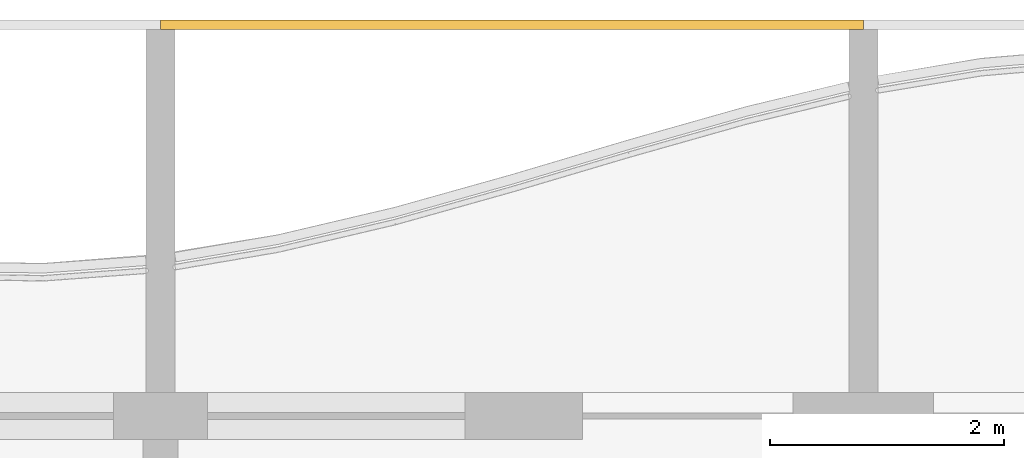
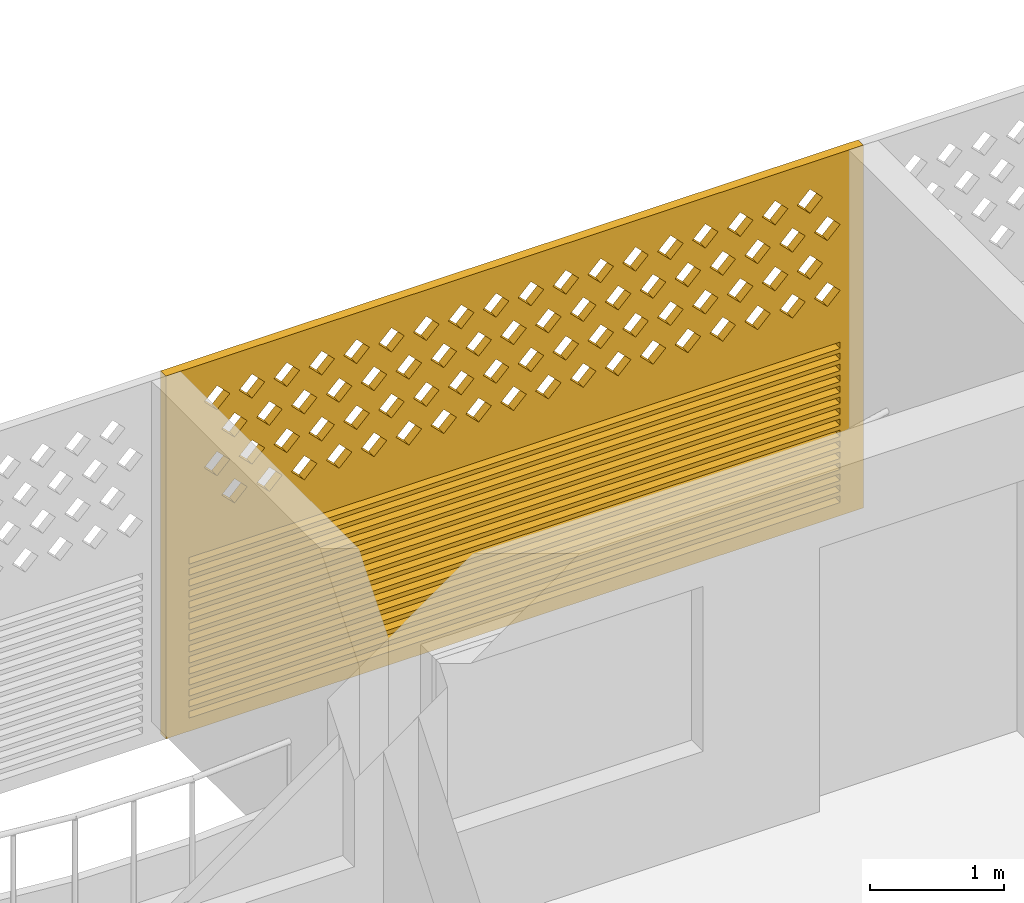
# One storey, part 23 of 33: 1 covering.
"""IFC4 building model written with IfcOpenShell, lengths in metres."""

import ifcopenshell
import ifcopenshell.guid

model = None  # the IFC model being written
_history = None  # IfcOwnerHistory: only IFC2X3 demands one
_inside = {}  # id of a spatial element -> (the spatial element, [elements in it])
_under = {}  # id of a project, library or spatial element -> (it, [spatial elements below it])
_declared = {}  # id of a project -> (the project, [libraries it declares])
_typed = {}  # id of a type object -> (the type object, [elements of that type])
_made_of = {}  # id of a material, layer set ... -> (it, [elements and type objects made of it])


def new_model(schema):
    """Start an empty IFC model of exactly this schema.

    Asked for "IFC4X3", IfcOpenShell would pick the latest addendum, in which some entities
    have other attributes; the version numbers below select the first issue.
    IFC2X3 requires an IfcOwnerHistory on every rooted entity: one is made here for all.
    """
    global model, _history
    if schema == "IFC4X3":
        model = ifcopenshell.file(schema_version=(4, 3, 0, 0))
    else:
        model = ifcopenshell.file(schema=schema)
    _inside.clear()
    _under.clear()
    _declared.clear()
    _typed.clear()
    _made_of.clear()
    _history = None
    if model.schema == "IFC2X3":
        org = make("IfcOrganization", Name="unknown")
        user = make(
            "IfcPersonAndOrganization",
            ThePerson=make("IfcPerson", FamilyName="unknown"),
            TheOrganization=org,
        )
        app = make(
            "IfcApplication",
            ApplicationDeveloper=org,
            Version="unknown",
            ApplicationFullName="unknown",
            ApplicationIdentifier="unknown",
        )
        _history = make(
            "IfcOwnerHistory",
            OwningUser=user,
            OwningApplication=app,
            ChangeAction="ADDED",
            CreationDate=0,
        )
    return model


def make(cls, **values):
    """One entity of the class cls with the attributes given. An attribute that is None is left unset."""
    return model.create_entity(
        cls, **{name: value for name, value in values.items() if value is not None}
    )


def rooted(cls, **values):
    """An entity with a GlobalId (a new one), such as an element, a storey or a relation."""
    return make(cls, GlobalId=ifcopenshell.guid.new(), OwnerHistory=_history, **values)


def si_unit(unit_type, name, prefix=None):
    """IfcSIUnit, for example si_unit("LENGTHUNIT", "METRE", prefix="MILLI")."""
    return make("IfcSIUnit", UnitType=unit_type, Prefix=prefix, Name=name)


def assignment(units):
    """IfcUnitAssignment: the units of a project."""
    return None if units is None else make("IfcUnitAssignment", Units=units)


def point(xyz):
    """IfcCartesianPoint."""
    return None if xyz is None else make("IfcCartesianPoint", Coordinates=xyz)


def direction(xyz):
    """IfcDirection."""
    return None if xyz is None else make("IfcDirection", DirectionRatios=xyz)


def frame(location, z_axis=None, x_axis=None):
    """IfcAxis2Placement3D, a coordinate frame: its origin and axes. An axis left out is left unset."""
    return make(
        "IfcAxis2Placement3D",
        Location=point(location),
        Axis=direction(z_axis),
        RefDirection=direction(x_axis),
    )


def origin():
    """The frame at (0, 0, 0) with its axes left unset."""
    return frame((0.0, 0.0, 0.0))


def place(relative_to, where):
    """IfcLocalPlacement: puts the frame where relative to a parent placement (None: the world)."""
    return make(
        "IfcLocalPlacement", PlacementRelTo=relative_to, RelativePlacement=where
    )


def context(
    kind, dimensions, precision=None, world=None, true_north=None, identifier=None
):
    """IfcGeometricRepresentationContext, for example the 3D "Model" context."""
    return make(
        "IfcGeometricRepresentationContext",
        ContextIdentifier=identifier,
        ContextType=kind,
        CoordinateSpaceDimension=dimensions,
        Precision=precision,
        WorldCoordinateSystem=world,
        TrueNorth=true_north,
    )


def subcontext(parent, identifier, kind, view, scale=None):
    """IfcGeometricRepresentationSubContext, for example "Body" below "Model"."""
    return make(
        "IfcGeometricRepresentationSubContext",
        ContextIdentifier=identifier,
        ContextType=kind,
        ParentContext=parent,
        TargetScale=scale,
        TargetView=view,
    )


def project(units=None, contexts=None):
    """IfcProject with its units and contexts."""
    return rooted(
        "IfcProject",
        Name="project",
        RepresentationContexts=contexts,
        UnitsInContext=assignment(units),
    )


def spatial(cls, under=None, at=None, **own):
    """A site, building, storey or space (cls), placed at a placement, below another one or the project."""
    s = rooted(cls, ObjectPlacement=at, **own)
    if under is not None:
        _under.setdefault(under.id(), (under, []))[1].append(s)
    return s


def polyline(points):
    """IfcPolyline through the points."""
    return make("IfcPolyline", Points=[point(p) for p in points])


def outline(outer, holes=None, kind="AREA"):
    """IfcArbitraryClosedProfileDef: a profile drawn as a closed curve; with holes, ...WithVoids."""
    if holes is None:
        return make("IfcArbitraryClosedProfileDef", ProfileType=kind, OuterCurve=outer)
    return make(
        "IfcArbitraryProfileDefWithVoids",
        ProfileType=kind,
        OuterCurve=outer,
        InnerCurves=holes,
    )


def extrude(swept, where, along, depth):
    """IfcExtrudedAreaSolid: the profile swept, set in the frame where, extruded along a direction by depth."""
    return make(
        "IfcExtrudedAreaSolid",
        SweptArea=swept,
        Position=where,
        ExtrudedDirection=direction(along),
        Depth=depth,
    )


def shape(context_of_items, identifier, shape_type, items):
    """IfcShapeRepresentation: the items that make up one representation, for example the "Body"."""
    return make(
        "IfcShapeRepresentation",
        ContextOfItems=context_of_items,
        RepresentationIdentifier=identifier,
        RepresentationType=shape_type,
        Items=items,
    )


def source(mapping_origin, context_of_items, identifier, shape_type, items):
    """IfcRepresentationMap: a shape defined once, which mapped items show again and again."""
    return make(
        "IfcRepresentationMap",
        MappingOrigin=mapping_origin,
        MappedRepresentation=shape(context_of_items, identifier, shape_type, items),
    )


def transform(
    local_origin,
    x_axis=None,
    y_axis=None,
    z_axis=None,
    scale=None,
    scale2=None,
    scale3=None,
    uniform=True,
):
    """IfcCartesianTransformationOperator3D, or its non-uniform kind. x_axis, y_axis, z_axis: its Axis1, 2, 3."""
    if uniform:
        return make(
            "IfcCartesianTransformationOperator3D",
            Axis1=direction(x_axis),
            Axis2=direction(y_axis),
            LocalOrigin=point(local_origin),
            Scale=scale,
            Axis3=direction(z_axis),
        )
    return make(
        "IfcCartesianTransformationOperator3DnonUniform",
        Axis1=direction(x_axis),
        Axis2=direction(y_axis),
        LocalOrigin=point(local_origin),
        Scale=scale,
        Axis3=direction(z_axis),
        Scale2=scale2,
        Scale3=scale3,
    )


def mapped(mapping_source, mapping_target):
    """IfcMappedItem: shows the shape of a source again, moved by a transform."""
    return make(
        "IfcMappedItem", MappingSource=mapping_source, MappingTarget=mapping_target
    )


def material(Name=None, Category=None):
    """IfcMaterial."""
    return make("IfcMaterial", Name=Name, Category=Category)


def material_profile(
    of_material, cross_section, Name=None, Category=None, Priority=None
):
    """IfcMaterialProfile: a cross section and its material."""
    return make(
        "IfcMaterialProfile",
        Name=Name,
        Material=of_material,
        Profile=cross_section,
        Priority=Priority,
        Category=Category,
    )


def profile_set(profiles, Name=None, composite=None):
    """IfcMaterialProfileSet."""
    return make(
        "IfcMaterialProfileSet",
        Name=Name,
        MaterialProfiles=profiles,
        CompositeProfile=composite,
    )


def made_of(thing, what):
    """Note that an element or type object is made of a material, layer set ...; save() writes the relation."""
    if what is not None:
        _made_of.setdefault(what.id(), (what, []))[1].append(thing)
    return thing


def type_object(cls, material=None, **own):
    """A type object (cls), such as IfcWallType, which elements share."""
    return made_of(rooted(cls, **own), material)


def element(
    cls,
    number,
    at=None,
    inside=None,
    cuts=None,
    type_object=None,
    material=None,
    context=None,
    identifier="Body",
    shape_type=None,
    held_by="IfcProductDefinitionShape",
    body=None,
    shapes=None,
    **own,
):
    """One element of the class cls, such as IfcWall. Its Tag is "e" and its number.

    at: its placement. inside: the storey or other place that contains it. cuts: it is an
    opening in that element (IfcRelVoidsElement). A single representation is given by context,
    identifier, shape_type and body (its items); several are given by shapes. held_by: the class
    of the entity that holds the representations. save() writes the other relations.
    """
    e = rooted(cls, Tag="e%d" % number, ObjectPlacement=at, **own)
    if body is not None:
        shapes = [shape(context, identifier, shape_type, body)]
    if shapes is not None:
        e.Representation = make(held_by, Representations=shapes)
    if inside is not None:
        _inside.setdefault(inside.id(), (inside, []))[1].append(e)
    if cuts is not None:
        rooted(
            "IfcRelVoidsElement", RelatingBuildingElement=cuts, RelatedOpeningElement=e
        )
    if type_object is not None:
        _typed.setdefault(type_object.id(), (type_object, []))[1].append(e)
    return made_of(e, material)


def aggregate(whole, parts):
    """IfcRelAggregates: a whole, such as a stair, and the parts it consists of."""
    return rooted("IfcRelAggregates", RelatingObject=whole, RelatedObjects=parts)


def save(model, path):
    """Write the relations noted so far, then the file.

    IfcRelAggregates (storeys below a building ...), IfcRelContainedInSpatialStructure (elements
    in a storey), IfcRelDefinesByType, IfcRelAssociatesMaterial and IfcRelDeclares: one each for
    every whole, place, type object, material and project.
    """
    for whole, parts in _under.values():
        aggregate(whole, parts)
    for where, things in _inside.values():
        rooted(
            "IfcRelContainedInSpatialStructure",
            RelatedElements=things,
            RelatingStructure=where,
        )
    for kind, things in _typed.values():
        rooted("IfcRelDefinesByType", RelatedObjects=things, RelatingType=kind)
    for what, things in _made_of.values():
        rooted("IfcRelAssociatesMaterial", RelatedObjects=things, RelatingMaterial=what)
    for by, libraries in _declared.values():
        rooted("IfcRelDeclares", RelatingContext=by, RelatedDefinitions=libraries)
    model.write(path)


model = new_model("IFC4")

# Units and contexts
model_context = context("Model", 3, precision=1e-05, world=origin(), true_north=direction((0.0, 1.0)))
body_context = subcontext(model_context, "Body", "Model", "MODEL_VIEW")
ifc_project = project(units=[si_unit("LENGTHUNIT", "METRE"), si_unit("AREAUNIT", "SQUARE_METRE"), si_unit("VOLUMEUNIT", "CUBIC_METRE"), si_unit("PLANEANGLEUNIT", "RADIAN"), si_unit("MASSUNIT", "GRAM", prefix="KILO")], contexts=[model_context])

# Site, building, storey
site_placement = place(None, origin())
site = spatial("IfcSite", under=ifc_project, at=site_placement, CompositionType="ELEMENT")
building_placement = place(site_placement, origin())
building = spatial("IfcBuilding", under=site, at=building_placement, Name="Poui Terraces", CompositionType="ELEMENT")
storey_placement = place(building_placement, frame((0.0, 0.0, 138.89990234375)))
storey = spatial("IfcBuildingStorey", under=building, at=storey_placement, Name="L38", CompositionType="ELEMENT", Elevation=138.89990234375)

# Covering
ifc_material = material(Name="Terracotta screen", Category="masonry")
ifc_material_profile = material_profile(ifc_material, outline(polyline([(-3.0, -1.64990234375), (3.0, -1.64990234375), (3.0, 1.64990234375), (-3.0, 1.64990234375), (-3.0, -1.64990234375)]), holes=[polyline([(-2.800048828125, 0.39990234375), (-2.68994140625, 0.2900390625), (-2.580078125, 0.39990234375), (-2.68994140625, 0.510009765625), (-2.800048828125, 0.39990234375)]), polyline([(-2.5, 0.39990234375), (-2.389892578125, 0.2900390625), (-2.280029296875, 0.39990234375), (-2.389892578125, 0.510009765625), (-2.5, 0.39990234375)]), polyline([(-2.199951171875, 0.39990234375), (-2.090087890625, 0.2900390625), (-1.97998046875, 0.39990234375), (-2.090087890625, 0.510009765625), (-2.199951171875, 0.39990234375)]), polyline([(-1.89990234375, 0.39990234375), (-1.7900390625, 0.2900390625), (-1.679931640625, 0.39990234375), (-1.7900390625, 0.510009765625), (-1.89990234375, 0.39990234375)]), polyline([(-1.60009765625, 0.39990234375), (-1.489990234375, 0.2900390625), (-1.3798828125, 0.39990234375), (-1.489990234375, 0.510009765625), (-1.60009765625, 0.39990234375)]), polyline([(-1.300048828125, 0.39990234375), (-1.18994140625, 0.2900390625), (-1.080078125, 0.39990234375), (-1.18994140625, 0.510009765625), (-1.300048828125, 0.39990234375)]), polyline([(-1.0, 0.39990234375), (-0.889892578125, 0.2900390625), (-0.780029296875, 0.39990234375), (-0.889892578125, 0.510009765625), (-1.0, 0.39990234375)]), polyline([(-0.699951171875, 0.39990234375), (-0.590087890625, 0.2900390625), (-0.47998046875, 0.39990234375), (-0.590087890625, 0.510009765625), (-0.699951171875, 0.39990234375)]), polyline([(-0.39990234375, 0.39990234375), (-0.2900390625, 0.2900390625), (-0.179931640625, 0.39990234375), (-0.2900390625, 0.510009765625), (-0.39990234375, 0.39990234375)]), polyline([(-0.10009765625, 0.39990234375), (0.010009765625, 0.2900390625), (0.1201171875, 0.39990234375), (0.010009765625, 0.510009765625), (-0.10009765625, 0.39990234375)]), polyline([(0.199951171875, 0.39990234375), (0.31005859375, 0.2900390625), (0.419921875, 0.39990234375), (0.31005859375, 0.510009765625), (0.199951171875, 0.39990234375)]), polyline([(0.5, 0.39990234375), (0.610107421875, 0.2900390625), (0.719970703125, 0.39990234375), (0.610107421875, 0.510009765625), (0.5, 0.39990234375)]), polyline([(0.800048828125, 0.39990234375), (0.909912109375, 0.2900390625), (1.02001953125, 0.39990234375), (0.909912109375, 0.510009765625), (0.800048828125, 0.39990234375)]), polyline([(1.10009765625, 0.39990234375), (1.2099609375, 0.2900390625), (1.320068359375, 0.39990234375), (1.2099609375, 0.510009765625), (1.10009765625, 0.39990234375)]), polyline([(1.39990234375, 0.39990234375), (1.510009765625, 0.2900390625), (1.6201171875, 0.39990234375), (1.510009765625, 0.510009765625), (1.39990234375, 0.39990234375)]), polyline([(1.699951171875, 0.39990234375), (1.81005859375, 0.2900390625), (1.919921875, 0.39990234375), (1.81005859375, 0.510009765625), (1.699951171875, 0.39990234375)]), polyline([(2.0, 0.39990234375), (2.110107421875, 0.2900390625), (2.219970703125, 0.39990234375), (2.110107421875, 0.510009765625), (2.0, 0.39990234375)]), polyline([(2.300048828125, 0.39990234375), (2.409912109375, 0.2900390625), (2.52001953125, 0.39990234375), (2.409912109375, 0.510009765625), (2.300048828125, 0.39990234375)]), polyline([(-2.64990234375, 0.699951171875), (-2.5400390625, 0.590087890625), (-2.429931640625, 0.699951171875), (-2.5400390625, 0.81005859375), (-2.64990234375, 0.699951171875)]), polyline([(-2.35009765625, 0.699951171875), (-2.239990234375, 0.590087890625), (-2.1298828125, 0.699951171875), (-2.239990234375, 0.81005859375), (-2.35009765625, 0.699951171875)]), polyline([(-2.050048828125, 0.699951171875), (-1.93994140625, 0.590087890625), (-1.830078125, 0.699951171875), (-1.93994140625, 0.81005859375), (-2.050048828125, 0.699951171875)]), polyline([(-1.75, 0.699951171875), (-1.639892578125, 0.590087890625), (-1.530029296875, 0.699951171875), (-1.639892578125, 0.81005859375), (-1.75, 0.699951171875)]), polyline([(-1.449951171875, 0.699951171875), (-1.340087890625, 0.590087890625), (-1.22998046875, 0.699951171875), (-1.340087890625, 0.81005859375), (-1.449951171875, 0.699951171875)]), polyline([(-1.14990234375, 0.699951171875), (-1.0400390625, 0.590087890625), (-0.929931640625, 0.699951171875), (-1.0400390625, 0.81005859375), (-1.14990234375, 0.699951171875)]), polyline([(-0.85009765625, 0.699951171875), (-0.739990234375, 0.590087890625), (-0.6298828125, 0.699951171875), (-0.739990234375, 0.81005859375), (-0.85009765625, 0.699951171875)]), polyline([(-0.550048828125, 0.699951171875), (-0.43994140625, 0.590087890625), (-0.330078125, 0.699951171875), (-0.43994140625, 0.81005859375), (-0.550048828125, 0.699951171875)]), polyline([(-0.25, 0.699951171875), (-0.139892578125, 0.590087890625), (-0.030029296875, 0.699951171875), (-0.139892578125, 0.81005859375), (-0.25, 0.699951171875)]), polyline([(0.050048828125, 0.699951171875), (0.159912109375, 0.590087890625), (0.27001953125, 0.699951171875), (0.159912109375, 0.81005859375), (0.050048828125, 0.699951171875)]), polyline([(0.35009765625, 0.699951171875), (0.4599609375, 0.590087890625), (0.570068359375, 0.699951171875), (0.4599609375, 0.81005859375), (0.35009765625, 0.699951171875)]), polyline([(0.64990234375, 0.699951171875), (0.760009765625, 0.590087890625), (0.8701171875, 0.699951171875), (0.760009765625, 0.81005859375), (0.64990234375, 0.699951171875)]), polyline([(0.949951171875, 0.699951171875), (1.06005859375, 0.590087890625), (1.169921875, 0.699951171875), (1.06005859375, 0.81005859375), (0.949951171875, 0.699951171875)]), polyline([(1.25, 0.699951171875), (1.360107421875, 0.590087890625), (1.469970703125, 0.699951171875), (1.360107421875, 0.81005859375), (1.25, 0.699951171875)]), polyline([(1.550048828125, 0.699951171875), (1.659912109375, 0.590087890625), (1.77001953125, 0.699951171875), (1.659912109375, 0.81005859375), (1.550048828125, 0.699951171875)]), polyline([(1.85009765625, 0.699951171875), (1.9599609375, 0.590087890625), (2.070068359375, 0.699951171875), (1.9599609375, 0.81005859375), (1.85009765625, 0.699951171875)]), polyline([(2.14990234375, 0.699951171875), (2.260009765625, 0.590087890625), (2.3701171875, 0.699951171875), (2.260009765625, 0.81005859375), (2.14990234375, 0.699951171875)]), polyline([(2.449951171875, 0.699951171875), (2.56005859375, 0.590087890625), (2.669921875, 0.699951171875), (2.56005859375, 0.81005859375), (2.449951171875, 0.699951171875)]), polyline([(-2.800048828125, 1.0), (-2.68994140625, 0.889892578125), (-2.580078125, 1.0), (-2.68994140625, 1.110107421875), (-2.800048828125, 1.0)]), polyline([(-2.5, 1.0), (-2.389892578125, 0.889892578125), (-2.280029296875, 1.0), (-2.389892578125, 1.110107421875), (-2.5, 1.0)]), polyline([(-2.199951171875, 1.0), (-2.090087890625, 0.889892578125), (-1.97998046875, 1.0), (-2.090087890625, 1.110107421875), (-2.199951171875, 1.0)]), polyline([(-1.89990234375, 1.0), (-1.7900390625, 0.889892578125), (-1.679931640625, 1.0), (-1.7900390625, 1.110107421875), (-1.89990234375, 1.0)]), polyline([(-1.60009765625, 1.0), (-1.489990234375, 0.889892578125), (-1.3798828125, 1.0), (-1.489990234375, 1.110107421875), (-1.60009765625, 1.0)]), polyline([(-1.300048828125, 1.0), (-1.18994140625, 0.889892578125), (-1.080078125, 1.0), (-1.18994140625, 1.110107421875), (-1.300048828125, 1.0)]), polyline([(-1.0, 1.0), (-0.889892578125, 0.889892578125), (-0.780029296875, 1.0), (-0.889892578125, 1.110107421875), (-1.0, 1.0)]), polyline([(-0.699951171875, 1.0), (-0.590087890625, 0.889892578125), (-0.47998046875, 1.0), (-0.590087890625, 1.110107421875), (-0.699951171875, 1.0)]), polyline([(-0.39990234375, 1.0), (-0.2900390625, 0.889892578125), (-0.179931640625, 1.0), (-0.2900390625, 1.110107421875), (-0.39990234375, 1.0)]), polyline([(-0.10009765625, 1.0), (0.010009765625, 0.889892578125), (0.1201171875, 1.0), (0.010009765625, 1.110107421875), (-0.10009765625, 1.0)]), polyline([(0.199951171875, 1.0), (0.31005859375, 0.889892578125), (0.419921875, 1.0), (0.31005859375, 1.110107421875), (0.199951171875, 1.0)]), polyline([(0.5, 1.0), (0.610107421875, 0.889892578125), (0.719970703125, 1.0), (0.610107421875, 1.110107421875), (0.5, 1.0)]), polyline([(0.800048828125, 1.0), (0.909912109375, 0.889892578125), (1.02001953125, 1.0), (0.909912109375, 1.110107421875), (0.800048828125, 1.0)]), polyline([(1.10009765625, 1.0), (1.2099609375, 0.889892578125), (1.320068359375, 1.0), (1.2099609375, 1.110107421875), (1.10009765625, 1.0)]), polyline([(1.39990234375, 1.0), (1.510009765625, 0.889892578125), (1.6201171875, 1.0), (1.510009765625, 1.110107421875), (1.39990234375, 1.0)]), polyline([(1.699951171875, 1.0), (1.81005859375, 0.889892578125), (1.919921875, 1.0), (1.81005859375, 1.110107421875), (1.699951171875, 1.0)]), polyline([(2.0, 1.0), (2.110107421875, 0.889892578125), (2.219970703125, 1.0), (2.110107421875, 1.110107421875), (2.0, 1.0)]), polyline([(2.300048828125, 1.0), (2.409912109375, 0.889892578125), (2.52001953125, 1.0), (2.409912109375, 1.110107421875), (2.300048828125, 1.0)]), polyline([(-2.64990234375, 1.300048828125), (-2.5400390625, 1.18994140625), (-2.429931640625, 1.300048828125), (-2.5400390625, 1.409912109375), (-2.64990234375, 1.300048828125)]), polyline([(-2.35009765625, 1.300048828125), (-2.239990234375, 1.18994140625), (-2.1298828125, 1.300048828125), (-2.239990234375, 1.409912109375), (-2.35009765625, 1.300048828125)]), polyline([(-2.050048828125, 1.300048828125), (-1.93994140625, 1.18994140625), (-1.830078125, 1.300048828125), (-1.93994140625, 1.409912109375), (-2.050048828125, 1.300048828125)]), polyline([(-1.75, 1.300048828125), (-1.639892578125, 1.18994140625), (-1.530029296875, 1.300048828125), (-1.639892578125, 1.409912109375), (-1.75, 1.300048828125)]), polyline([(-1.449951171875, 1.300048828125), (-1.340087890625, 1.18994140625), (-1.22998046875, 1.300048828125), (-1.340087890625, 1.409912109375), (-1.449951171875, 1.300048828125)]), polyline([(-1.14990234375, 1.300048828125), (-1.0400390625, 1.18994140625), (-0.929931640625, 1.300048828125), (-1.0400390625, 1.409912109375), (-1.14990234375, 1.300048828125)]), polyline([(-0.85009765625, 1.300048828125), (-0.739990234375, 1.18994140625), (-0.6298828125, 1.300048828125), (-0.739990234375, 1.409912109375), (-0.85009765625, 1.300048828125)]), polyline([(-0.550048828125, 1.300048828125), (-0.43994140625, 1.18994140625), (-0.330078125, 1.300048828125), (-0.43994140625, 1.409912109375), (-0.550048828125, 1.300048828125)]), polyline([(-0.25, 1.300048828125), (-0.139892578125, 1.18994140625), (-0.030029296875, 1.300048828125), (-0.139892578125, 1.409912109375), (-0.25, 1.300048828125)]), polyline([(0.050048828125, 1.300048828125), (0.159912109375, 1.18994140625), (0.27001953125, 1.300048828125), (0.159912109375, 1.409912109375), (0.050048828125, 1.300048828125)]), polyline([(0.35009765625, 1.300048828125), (0.4599609375, 1.18994140625), (0.570068359375, 1.300048828125), (0.4599609375, 1.409912109375), (0.35009765625, 1.300048828125)]), polyline([(0.64990234375, 1.300048828125), (0.760009765625, 1.18994140625), (0.8701171875, 1.300048828125), (0.760009765625, 1.409912109375), (0.64990234375, 1.300048828125)]), polyline([(0.949951171875, 1.300048828125), (1.06005859375, 1.18994140625), (1.169921875, 1.300048828125), (1.06005859375, 1.409912109375), (0.949951171875, 1.300048828125)]), polyline([(1.25, 1.300048828125), (1.360107421875, 1.18994140625), (1.469970703125, 1.300048828125), (1.360107421875, 1.409912109375), (1.25, 1.300048828125)]), polyline([(1.550048828125, 1.300048828125), (1.659912109375, 1.18994140625), (1.77001953125, 1.300048828125), (1.659912109375, 1.409912109375), (1.550048828125, 1.300048828125)]), polyline([(1.85009765625, 1.300048828125), (1.9599609375, 1.18994140625), (2.070068359375, 1.300048828125), (1.9599609375, 1.409912109375), (1.85009765625, 1.300048828125)]), polyline([(2.14990234375, 1.300048828125), (2.260009765625, 1.18994140625), (2.3701171875, 1.300048828125), (2.260009765625, 1.409912109375), (2.14990234375, 1.300048828125)]), polyline([(2.449951171875, 1.300048828125), (2.56005859375, 1.18994140625), (2.669921875, 1.300048828125), (2.56005859375, 1.409912109375), (2.449951171875, 1.300048828125)]), polyline([(-2.800048828125, -1.530029296875), (2.800048828125, -1.530029296875), (2.800048828125, -1.469970703125), (-2.800048828125, -1.469970703125), (-2.800048828125, -1.530029296875)]), polyline([(-2.800048828125, -1.429931640625), (2.800048828125, -1.429931640625), (2.800048828125, -1.3701171875), (-2.800048828125, -1.3701171875), (-2.800048828125, -1.429931640625)]), polyline([(-2.800048828125, -1.330078125), (2.800048828125, -1.330078125), (2.800048828125, -1.27001953125), (-2.800048828125, -1.27001953125), (-2.800048828125, -1.330078125)]), polyline([(-2.800048828125, -1.22998046875), (2.800048828125, -1.22998046875), (2.800048828125, -1.169921875), (-2.800048828125, -1.169921875), (-2.800048828125, -1.22998046875)]), polyline([(-2.800048828125, -1.1298828125), (2.800048828125, -1.1298828125), (2.800048828125, -1.070068359375), (-2.800048828125, -1.070068359375), (-2.800048828125, -1.1298828125)]), polyline([(-2.800048828125, -1.030029296875), (2.800048828125, -1.030029296875), (2.800048828125, -0.969970703125), (-2.800048828125, -0.969970703125), (-2.800048828125, -1.030029296875)]), polyline([(-2.800048828125, -0.929931640625), (2.800048828125, -0.929931640625), (2.800048828125, -0.8701171875), (-2.800048828125, -0.8701171875), (-2.800048828125, -0.929931640625)]), polyline([(-2.800048828125, -0.830078125), (2.800048828125, -0.830078125), (2.800048828125, -0.77001953125), (-2.800048828125, -0.77001953125), (-2.800048828125, -0.830078125)]), polyline([(-2.800048828125, -0.72998046875), (2.800048828125, -0.72998046875), (2.800048828125, -0.669921875), (-2.800048828125, -0.669921875), (-2.800048828125, -0.72998046875)]), polyline([(-2.800048828125, -0.6298828125), (2.800048828125, -0.6298828125), (2.800048828125, -0.570068359375), (-2.800048828125, -0.570068359375), (-2.800048828125, -0.6298828125)]), polyline([(-2.800048828125, -0.530029296875), (2.800048828125, -0.530029296875), (2.800048828125, -0.469970703125), (-2.800048828125, -0.469970703125), (-2.800048828125, -0.530029296875)]), polyline([(-2.800048828125, -0.429931640625), (2.800048828125, -0.429931640625), (2.800048828125, -0.3701171875), (-2.800048828125, -0.3701171875), (-2.800048828125, -0.429931640625)]), polyline([(-2.800048828125, -0.330078125), (2.800048828125, -0.330078125), (2.800048828125, -0.27001953125), (-2.800048828125, -0.27001953125), (-2.800048828125, -0.330078125)]), polyline([(-2.800048828125, -0.22998046875), (2.800048828125, -0.22998046875), (2.800048828125, -0.169921875), (-2.800048828125, -0.169921875), (-2.800048828125, -0.22998046875)]), polyline([(-2.800048828125, -0.1298828125), (2.800048828125, -0.1298828125), (2.800048828125, -0.070068359375), (-2.800048828125, -0.070068359375), (-2.800048828125, -0.1298828125)])]), Name="TERRACOTTA SCREEN AND JALOUSIE LOUVRE 6000X3300")
ifc_profile_set = profile_set([ifc_material_profile], Name="Terracotta screen")
covering_type = type_object("IfcCoveringType", Name="TERRACOTTA SCREEN AND JALOUSIE LOUVRE 6000X3300", PredefinedType="CLADDING", material=ifc_profile_set)
shared_shape = source(origin(), body_context, "Body", "SweptSolid", [
    extrude(outline(polyline([(-3.0, -1.64990234375), (3.0, -1.64990234375), (3.0, 1.64990234375), (-3.0, 1.64990234375), (-3.0, -1.64990234375)]), holes=[polyline([(-2.800048828125, 0.39990234375), (-2.68994140625, 0.2900390625), (-2.580078125, 0.39990234375), (-2.68994140625, 0.510009765625), (-2.800048828125, 0.39990234375)]), polyline([(-2.5, 0.39990234375), (-2.389892578125, 0.2900390625), (-2.280029296875, 0.39990234375), (-2.389892578125, 0.510009765625), (-2.5, 0.39990234375)]), polyline([(-2.199951171875, 0.39990234375), (-2.090087890625, 0.2900390625), (-1.97998046875, 0.39990234375), (-2.090087890625, 0.510009765625), (-2.199951171875, 0.39990234375)]), polyline([(-1.89990234375, 0.39990234375), (-1.7900390625, 0.2900390625), (-1.679931640625, 0.39990234375), (-1.7900390625, 0.510009765625), (-1.89990234375, 0.39990234375)]), polyline([(-1.60009765625, 0.39990234375), (-1.489990234375, 0.2900390625), (-1.3798828125, 0.39990234375), (-1.489990234375, 0.510009765625), (-1.60009765625, 0.39990234375)]), polyline([(-1.300048828125, 0.39990234375), (-1.18994140625, 0.2900390625), (-1.080078125, 0.39990234375), (-1.18994140625, 0.510009765625), (-1.300048828125, 0.39990234375)]), polyline([(-1.0, 0.39990234375), (-0.889892578125, 0.2900390625), (-0.780029296875, 0.39990234375), (-0.889892578125, 0.510009765625), (-1.0, 0.39990234375)]), polyline([(-0.699951171875, 0.39990234375), (-0.590087890625, 0.2900390625), (-0.47998046875, 0.39990234375), (-0.590087890625, 0.510009765625), (-0.699951171875, 0.39990234375)]), polyline([(-0.39990234375, 0.39990234375), (-0.2900390625, 0.2900390625), (-0.179931640625, 0.39990234375), (-0.2900390625, 0.510009765625), (-0.39990234375, 0.39990234375)]), polyline([(-0.10009765625, 0.39990234375), (0.010009765625, 0.2900390625), (0.1201171875, 0.39990234375), (0.010009765625, 0.510009765625), (-0.10009765625, 0.39990234375)]), polyline([(0.199951171875, 0.39990234375), (0.31005859375, 0.2900390625), (0.419921875, 0.39990234375), (0.31005859375, 0.510009765625), (0.199951171875, 0.39990234375)]), polyline([(0.5, 0.39990234375), (0.610107421875, 0.2900390625), (0.719970703125, 0.39990234375), (0.610107421875, 0.510009765625), (0.5, 0.39990234375)]), polyline([(0.800048828125, 0.39990234375), (0.909912109375, 0.2900390625), (1.02001953125, 0.39990234375), (0.909912109375, 0.510009765625), (0.800048828125, 0.39990234375)]), polyline([(1.10009765625, 0.39990234375), (1.2099609375, 0.2900390625), (1.320068359375, 0.39990234375), (1.2099609375, 0.510009765625), (1.10009765625, 0.39990234375)]), polyline([(1.39990234375, 0.39990234375), (1.510009765625, 0.2900390625), (1.6201171875, 0.39990234375), (1.510009765625, 0.510009765625), (1.39990234375, 0.39990234375)]), polyline([(1.699951171875, 0.39990234375), (1.81005859375, 0.2900390625), (1.919921875, 0.39990234375), (1.81005859375, 0.510009765625), (1.699951171875, 0.39990234375)]), polyline([(2.0, 0.39990234375), (2.110107421875, 0.2900390625), (2.219970703125, 0.39990234375), (2.110107421875, 0.510009765625), (2.0, 0.39990234375)]), polyline([(2.300048828125, 0.39990234375), (2.409912109375, 0.2900390625), (2.52001953125, 0.39990234375), (2.409912109375, 0.510009765625), (2.300048828125, 0.39990234375)]), polyline([(-2.64990234375, 0.699951171875), (-2.5400390625, 0.590087890625), (-2.429931640625, 0.699951171875), (-2.5400390625, 0.81005859375), (-2.64990234375, 0.699951171875)]), polyline([(-2.35009765625, 0.699951171875), (-2.239990234375, 0.590087890625), (-2.1298828125, 0.699951171875), (-2.239990234375, 0.81005859375), (-2.35009765625, 0.699951171875)]), polyline([(-2.050048828125, 0.699951171875), (-1.93994140625, 0.590087890625), (-1.830078125, 0.699951171875), (-1.93994140625, 0.81005859375), (-2.050048828125, 0.699951171875)]), polyline([(-1.75, 0.699951171875), (-1.639892578125, 0.590087890625), (-1.530029296875, 0.699951171875), (-1.639892578125, 0.81005859375), (-1.75, 0.699951171875)]), polyline([(-1.449951171875, 0.699951171875), (-1.340087890625, 0.590087890625), (-1.22998046875, 0.699951171875), (-1.340087890625, 0.81005859375), (-1.449951171875, 0.699951171875)]), polyline([(-1.14990234375, 0.699951171875), (-1.0400390625, 0.590087890625), (-0.929931640625, 0.699951171875), (-1.0400390625, 0.81005859375), (-1.14990234375, 0.699951171875)]), polyline([(-0.85009765625, 0.699951171875), (-0.739990234375, 0.590087890625), (-0.6298828125, 0.699951171875), (-0.739990234375, 0.81005859375), (-0.85009765625, 0.699951171875)]), polyline([(-0.550048828125, 0.699951171875), (-0.43994140625, 0.590087890625), (-0.330078125, 0.699951171875), (-0.43994140625, 0.81005859375), (-0.550048828125, 0.699951171875)]), polyline([(-0.25, 0.699951171875), (-0.139892578125, 0.590087890625), (-0.030029296875, 0.699951171875), (-0.139892578125, 0.81005859375), (-0.25, 0.699951171875)]), polyline([(0.050048828125, 0.699951171875), (0.159912109375, 0.590087890625), (0.27001953125, 0.699951171875), (0.159912109375, 0.81005859375), (0.050048828125, 0.699951171875)]), polyline([(0.35009765625, 0.699951171875), (0.4599609375, 0.590087890625), (0.570068359375, 0.699951171875), (0.4599609375, 0.81005859375), (0.35009765625, 0.699951171875)]), polyline([(0.64990234375, 0.699951171875), (0.760009765625, 0.590087890625), (0.8701171875, 0.699951171875), (0.760009765625, 0.81005859375), (0.64990234375, 0.699951171875)]), polyline([(0.949951171875, 0.699951171875), (1.06005859375, 0.590087890625), (1.169921875, 0.699951171875), (1.06005859375, 0.81005859375), (0.949951171875, 0.699951171875)]), polyline([(1.25, 0.699951171875), (1.360107421875, 0.590087890625), (1.469970703125, 0.699951171875), (1.360107421875, 0.81005859375), (1.25, 0.699951171875)]), polyline([(1.550048828125, 0.699951171875), (1.659912109375, 0.590087890625), (1.77001953125, 0.699951171875), (1.659912109375, 0.81005859375), (1.550048828125, 0.699951171875)]), polyline([(1.85009765625, 0.699951171875), (1.9599609375, 0.590087890625), (2.070068359375, 0.699951171875), (1.9599609375, 0.81005859375), (1.85009765625, 0.699951171875)]), polyline([(2.14990234375, 0.699951171875), (2.260009765625, 0.590087890625), (2.3701171875, 0.699951171875), (2.260009765625, 0.81005859375), (2.14990234375, 0.699951171875)]), polyline([(2.449951171875, 0.699951171875), (2.56005859375, 0.590087890625), (2.669921875, 0.699951171875), (2.56005859375, 0.81005859375), (2.449951171875, 0.699951171875)]), polyline([(-2.800048828125, 1.0), (-2.68994140625, 0.889892578125), (-2.580078125, 1.0), (-2.68994140625, 1.110107421875), (-2.800048828125, 1.0)]), polyline([(-2.5, 1.0), (-2.389892578125, 0.889892578125), (-2.280029296875, 1.0), (-2.389892578125, 1.110107421875), (-2.5, 1.0)]), polyline([(-2.199951171875, 1.0), (-2.090087890625, 0.889892578125), (-1.97998046875, 1.0), (-2.090087890625, 1.110107421875), (-2.199951171875, 1.0)]), polyline([(-1.89990234375, 1.0), (-1.7900390625, 0.889892578125), (-1.679931640625, 1.0), (-1.7900390625, 1.110107421875), (-1.89990234375, 1.0)]), polyline([(-1.60009765625, 1.0), (-1.489990234375, 0.889892578125), (-1.3798828125, 1.0), (-1.489990234375, 1.110107421875), (-1.60009765625, 1.0)]), polyline([(-1.300048828125, 1.0), (-1.18994140625, 0.889892578125), (-1.080078125, 1.0), (-1.18994140625, 1.110107421875), (-1.300048828125, 1.0)]), polyline([(-1.0, 1.0), (-0.889892578125, 0.889892578125), (-0.780029296875, 1.0), (-0.889892578125, 1.110107421875), (-1.0, 1.0)]), polyline([(-0.699951171875, 1.0), (-0.590087890625, 0.889892578125), (-0.47998046875, 1.0), (-0.590087890625, 1.110107421875), (-0.699951171875, 1.0)]), polyline([(-0.39990234375, 1.0), (-0.2900390625, 0.889892578125), (-0.179931640625, 1.0), (-0.2900390625, 1.110107421875), (-0.39990234375, 1.0)]), polyline([(-0.10009765625, 1.0), (0.010009765625, 0.889892578125), (0.1201171875, 1.0), (0.010009765625, 1.110107421875), (-0.10009765625, 1.0)]), polyline([(0.199951171875, 1.0), (0.31005859375, 0.889892578125), (0.419921875, 1.0), (0.31005859375, 1.110107421875), (0.199951171875, 1.0)]), polyline([(0.5, 1.0), (0.610107421875, 0.889892578125), (0.719970703125, 1.0), (0.610107421875, 1.110107421875), (0.5, 1.0)]), polyline([(0.800048828125, 1.0), (0.909912109375, 0.889892578125), (1.02001953125, 1.0), (0.909912109375, 1.110107421875), (0.800048828125, 1.0)]), polyline([(1.10009765625, 1.0), (1.2099609375, 0.889892578125), (1.320068359375, 1.0), (1.2099609375, 1.110107421875), (1.10009765625, 1.0)]), polyline([(1.39990234375, 1.0), (1.510009765625, 0.889892578125), (1.6201171875, 1.0), (1.510009765625, 1.110107421875), (1.39990234375, 1.0)]), polyline([(1.699951171875, 1.0), (1.81005859375, 0.889892578125), (1.919921875, 1.0), (1.81005859375, 1.110107421875), (1.699951171875, 1.0)]), polyline([(2.0, 1.0), (2.110107421875, 0.889892578125), (2.219970703125, 1.0), (2.110107421875, 1.110107421875), (2.0, 1.0)]), polyline([(2.300048828125, 1.0), (2.409912109375, 0.889892578125), (2.52001953125, 1.0), (2.409912109375, 1.110107421875), (2.300048828125, 1.0)]), polyline([(-2.64990234375, 1.300048828125), (-2.5400390625, 1.18994140625), (-2.429931640625, 1.300048828125), (-2.5400390625, 1.409912109375), (-2.64990234375, 1.300048828125)]), polyline([(-2.35009765625, 1.300048828125), (-2.239990234375, 1.18994140625), (-2.1298828125, 1.300048828125), (-2.239990234375, 1.409912109375), (-2.35009765625, 1.300048828125)]), polyline([(-2.050048828125, 1.300048828125), (-1.93994140625, 1.18994140625), (-1.830078125, 1.300048828125), (-1.93994140625, 1.409912109375), (-2.050048828125, 1.300048828125)]), polyline([(-1.75, 1.300048828125), (-1.639892578125, 1.18994140625), (-1.530029296875, 1.300048828125), (-1.639892578125, 1.409912109375), (-1.75, 1.300048828125)]), polyline([(-1.449951171875, 1.300048828125), (-1.340087890625, 1.18994140625), (-1.22998046875, 1.300048828125), (-1.340087890625, 1.409912109375), (-1.449951171875, 1.300048828125)]), polyline([(-1.14990234375, 1.300048828125), (-1.0400390625, 1.18994140625), (-0.929931640625, 1.300048828125), (-1.0400390625, 1.409912109375), (-1.14990234375, 1.300048828125)]), polyline([(-0.85009765625, 1.300048828125), (-0.739990234375, 1.18994140625), (-0.6298828125, 1.300048828125), (-0.739990234375, 1.409912109375), (-0.85009765625, 1.300048828125)]), polyline([(-0.550048828125, 1.300048828125), (-0.43994140625, 1.18994140625), (-0.330078125, 1.300048828125), (-0.43994140625, 1.409912109375), (-0.550048828125, 1.300048828125)]), polyline([(-0.25, 1.300048828125), (-0.139892578125, 1.18994140625), (-0.030029296875, 1.300048828125), (-0.139892578125, 1.409912109375), (-0.25, 1.300048828125)]), polyline([(0.050048828125, 1.300048828125), (0.159912109375, 1.18994140625), (0.27001953125, 1.300048828125), (0.159912109375, 1.409912109375), (0.050048828125, 1.300048828125)]), polyline([(0.35009765625, 1.300048828125), (0.4599609375, 1.18994140625), (0.570068359375, 1.300048828125), (0.4599609375, 1.409912109375), (0.35009765625, 1.300048828125)]), polyline([(0.64990234375, 1.300048828125), (0.760009765625, 1.18994140625), (0.8701171875, 1.300048828125), (0.760009765625, 1.409912109375), (0.64990234375, 1.300048828125)]), polyline([(0.949951171875, 1.300048828125), (1.06005859375, 1.18994140625), (1.169921875, 1.300048828125), (1.06005859375, 1.409912109375), (0.949951171875, 1.300048828125)]), polyline([(1.25, 1.300048828125), (1.360107421875, 1.18994140625), (1.469970703125, 1.300048828125), (1.360107421875, 1.409912109375), (1.25, 1.300048828125)]), polyline([(1.550048828125, 1.300048828125), (1.659912109375, 1.18994140625), (1.77001953125, 1.300048828125), (1.659912109375, 1.409912109375), (1.550048828125, 1.300048828125)]), polyline([(1.85009765625, 1.300048828125), (1.9599609375, 1.18994140625), (2.070068359375, 1.300048828125), (1.9599609375, 1.409912109375), (1.85009765625, 1.300048828125)]), polyline([(2.14990234375, 1.300048828125), (2.260009765625, 1.18994140625), (2.3701171875, 1.300048828125), (2.260009765625, 1.409912109375), (2.14990234375, 1.300048828125)]), polyline([(2.449951171875, 1.300048828125), (2.56005859375, 1.18994140625), (2.669921875, 1.300048828125), (2.56005859375, 1.409912109375), (2.449951171875, 1.300048828125)]), polyline([(-2.800048828125, -1.530029296875), (2.800048828125, -1.530029296875), (2.800048828125, -1.469970703125), (-2.800048828125, -1.469970703125), (-2.800048828125, -1.530029296875)]), polyline([(-2.800048828125, -1.429931640625), (2.800048828125, -1.429931640625), (2.800048828125, -1.3701171875), (-2.800048828125, -1.3701171875), (-2.800048828125, -1.429931640625)]), polyline([(-2.800048828125, -1.330078125), (2.800048828125, -1.330078125), (2.800048828125, -1.27001953125), (-2.800048828125, -1.27001953125), (-2.800048828125, -1.330078125)]), polyline([(-2.800048828125, -1.22998046875), (2.800048828125, -1.22998046875), (2.800048828125, -1.169921875), (-2.800048828125, -1.169921875), (-2.800048828125, -1.22998046875)]), polyline([(-2.800048828125, -1.1298828125), (2.800048828125, -1.1298828125), (2.800048828125, -1.070068359375), (-2.800048828125, -1.070068359375), (-2.800048828125, -1.1298828125)]), polyline([(-2.800048828125, -1.030029296875), (2.800048828125, -1.030029296875), (2.800048828125, -0.969970703125), (-2.800048828125, -0.969970703125), (-2.800048828125, -1.030029296875)]), polyline([(-2.800048828125, -0.929931640625), (2.800048828125, -0.929931640625), (2.800048828125, -0.8701171875), (-2.800048828125, -0.8701171875), (-2.800048828125, -0.929931640625)]), polyline([(-2.800048828125, -0.830078125), (2.800048828125, -0.830078125), (2.800048828125, -0.77001953125), (-2.800048828125, -0.77001953125), (-2.800048828125, -0.830078125)]), polyline([(-2.800048828125, -0.72998046875), (2.800048828125, -0.72998046875), (2.800048828125, -0.669921875), (-2.800048828125, -0.669921875), (-2.800048828125, -0.72998046875)]), polyline([(-2.800048828125, -0.6298828125), (2.800048828125, -0.6298828125), (2.800048828125, -0.570068359375), (-2.800048828125, -0.570068359375), (-2.800048828125, -0.6298828125)]), polyline([(-2.800048828125, -0.530029296875), (2.800048828125, -0.530029296875), (2.800048828125, -0.469970703125), (-2.800048828125, -0.469970703125), (-2.800048828125, -0.530029296875)]), polyline([(-2.800048828125, -0.429931640625), (2.800048828125, -0.429931640625), (2.800048828125, -0.3701171875), (-2.800048828125, -0.3701171875), (-2.800048828125, -0.429931640625)]), polyline([(-2.800048828125, -0.330078125), (2.800048828125, -0.330078125), (2.800048828125, -0.27001953125), (-2.800048828125, -0.27001953125), (-2.800048828125, -0.330078125)]), polyline([(-2.800048828125, -0.22998046875), (2.800048828125, -0.22998046875), (2.800048828125, -0.169921875), (-2.800048828125, -0.169921875), (-2.800048828125, -0.22998046875)]), polyline([(-2.800048828125, -0.1298828125), (2.800048828125, -0.1298828125), (2.800048828125, -0.070068359375), (-2.800048828125, -0.070068359375), (-2.800048828125, -0.1298828125)])]), origin(), (0.0, 0.0, 1.0), 0.080078125),
])
covering_placement = place(storey_placement, frame((39.0, 45.699951171875, 1.4501953125), z_axis=(0.0, 1.0, 0.0), x_axis=(-1.0, 0.0, 0.0)))
element("IfcCovering", 1, at=covering_placement, inside=storey, type_object=covering_type, Name="SOLAR SCREEN AND JALOUSIE LOUVRE", PredefinedType="CLADDING", context=body_context, shape_type="MappedRepresentation", body=[
    mapped(shared_shape, transform((0.0, 0.0, 0.0))),
])

save(model, "model.ifc")
